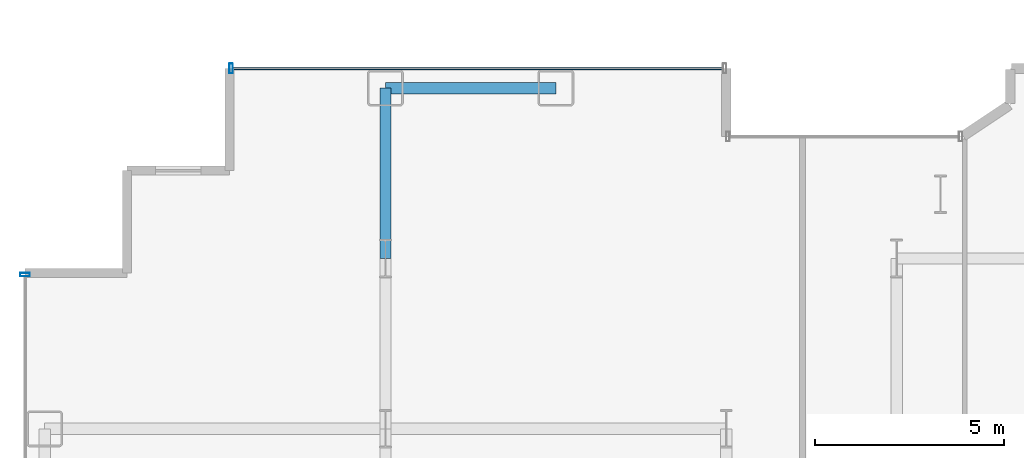
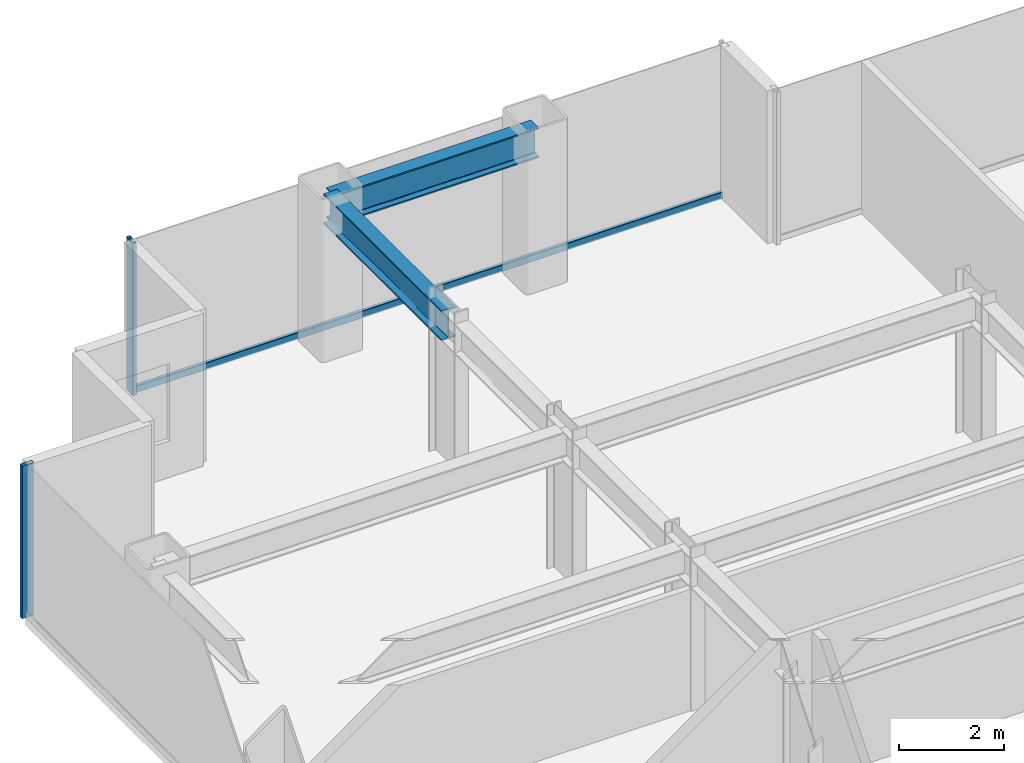
# One storey, part 9 of 25: 3 members, 2 beams, 2 elements without a shape of their own.
"""IFC4 building model written with IfcOpenShell, lengths in metres."""

from ifc_helpers import new_model, si_unit, direction, frame, origin, origin_2d, place, context, subcontext, project, spatial, hollow_rectangle, i_section, extrude, source, transform, mapped, material, layer, layer_set, material_profile, profile_set, type_object, element, aggregate, save


model = new_model("IFC4")

# Units and contexts
model_context = context("Model", 3, precision=1e-05, world=origin(), true_north=direction((0.0, 1.0)))
body_context = subcontext(model_context, "Body", "Model", "MODEL_VIEW")
ifc_project = project(units=[si_unit("LENGTHUNIT", "METRE"), si_unit("AREAUNIT", "SQUARE_METRE"), si_unit("VOLUMEUNIT", "CUBIC_METRE"), si_unit("PLANEANGLEUNIT", "RADIAN"), si_unit("MASSUNIT", "GRAM", prefix="KILO")], contexts=[model_context])

# Site, building, storey
site_placement = place(None, origin())
site = spatial("IfcSite", under=ifc_project, at=site_placement, CompositionType="ELEMENT")
building_placement = place(site_placement, origin())
building = spatial("IfcBuilding", under=site, at=building_placement, Name="Nefas-Gora Pilgrimage Tower", CompositionType="ELEMENT")
storey_placement = place(building_placement, frame((0.0, 0.0, 74.800048828125)))
storey = spatial("IfcBuildingStorey", under=building, at=storey_placement, Name="L17", CompositionType="ELEMENT", Elevation=74.800048828125)

# Beams
ifc_material_1 = material(Name="Steel S355", Category="steel")
ifc_material_profile_1 = material_profile(ifc_material_1, i_section(OverallWidth=0.300048828125, OverallDepth=0.699951171875, WebThickness=0.01708984375, FlangeThickness=0.031982421875, FilletRadius=0.027099609375, at=origin_2d()), Name="HEB 700")
ifc_profile_set_1 = profile_set([ifc_material_profile_1], Name="Steel S355")
beam_type_1 = type_object("IfcBeamType", Name="BM-SPN-HEB600", PredefinedType="SPANDREL", material=ifc_profile_set_1)
shared_shape_1 = source(origin(), body_context, "Body", "SweptSolid", [
    extrude(i_section(OverallWidth=0.300048828125, OverallDepth=0.699951171875, WebThickness=0.01708984375, FlangeThickness=0.031982421875, FilletRadius=0.027099609375, at=origin_2d()), origin(), (0.0, 0.0, 1.0), 4.5),
])
beam_1_placement = place(storey_placement, frame((-24.75, 22.5, 3.199951171875), z_axis=(1.0, 0.0, 0.0), x_axis=(0.0, 1.0, 0.0)))
element("IfcBeam", 1, at=beam_1_placement, inside=storey, type_object=beam_type_1, Name="L17 SP-01 beam", PredefinedType="SPANDREL", context=body_context, shape_type="MappedRepresentation", body=[
    mapped(shared_shape_1, transform((0.0, 0.0, 0.0), x_axis=(1.0, 0.0, 0.0), y_axis=(0.0, 1.0, 0.0), z_axis=(0.0, 0.0, 1.0), scale=1.0)),
])
ifc_material_profile_2 = material_profile(ifc_material_1, i_section(OverallWidth=0.300048828125, OverallDepth=0.699951171875, WebThickness=0.01708984375, FlangeThickness=0.031982421875, FilletRadius=0.027099609375, at=origin_2d()), Name="HEB 700")
ifc_profile_set_2 = profile_set([ifc_material_profile_2], Name="Steel S355")
beam_type_2 = type_object("IfcBeamType", Name="BM-GIR-HEB700", PredefinedType="BEAM", material=ifc_profile_set_2)
shared_shape_2 = source(origin(), body_context, "Body", "SweptSolid", [
    extrude(i_section(OverallWidth=0.300048828125, OverallDepth=0.699951171875, WebThickness=0.01708984375, FlangeThickness=0.031982421875, FilletRadius=0.027099609375, at=origin_2d()), origin(), (0.0, 0.0, 1.0), 4.5),
])
beam_2_placement = place(storey_placement, frame((-24.75, 18.0, 3.199951171875), z_axis=(0.0, 1.0, 0.0), x_axis=(-1.0, 0.0, 0.0)))
element("IfcBeam", 2, at=beam_2_placement, inside=storey, type_object=beam_type_2, Name="L17 G-02 beam", PredefinedType="BEAM", context=body_context, shape_type="MappedRepresentation", body=[
    mapped(shared_shape_2, transform((0.0, 0.0, 0.0), x_axis=(1.0, 0.0, 0.0), y_axis=(0.0, 1.0, 0.0), z_axis=(0.0, 0.0, 1.0), scale=1.0)),
])

# Curtain wall, member
ifc_material_2 = material(Name="Dark ceramic-fritted solar-control aluminium-glass curtain wall", Category="aluminium")
ifc_layer = layer(ifc_material_2, 0.219970703125)
ifc_layer_set = layer_set([ifc_layer], Name="Dark ceramic-fritted solar-control aluminium-glass curtain wall")
curtain_wall_type = type_object("IfcCurtainWallType", Name="CW-SYS-2", PredefinedType="NOTDEFINED", material=ifc_layer_set)
curtain_wall_1_placement = place(storey_placement, origin())
curtain_wall_1 = element("IfcCurtainWall", 3, at=curtain_wall_1_placement, inside=storey, type_object=curtain_wall_type, Name="L17 Unitised Curtain Wall CW2", PredefinedType="NOTDEFINED")
ifc_material_3 = material(Name="Anodised architectural aluminium", Category="aluminium")
ifc_material_profile_3 = material_profile(ifc_material_3, hollow_rectangle(XDim=0.090087890625, YDim=0.260009765625, WallThickness=0.006103515625, InnerFilletRadius=0.006103515625, OuterFilletRadius=0.011962890625, at=origin_2d()), Name="ALU MULLION 90x260")
ifc_profile_set_3 = profile_set([ifc_material_profile_3], Name="Anodised architectural aluminium")
member_type_1 = type_object("IfcMemberType", Name="CWM-MUL-2", PredefinedType="MULLION", material=ifc_profile_set_3)
shared_shape_3 = source(origin(), body_context, "Body", "SweptSolid", [
    extrude(hollow_rectangle(XDim=0.090087890625, YDim=0.260009765625, WallThickness=0.006103515625, InnerFilletRadius=0.006103515625, OuterFilletRadius=0.011962890625, at=origin_2d()), origin(), (0.0, 0.0, 1.0), 3.550048828125),
])
member_1_placement = place(storey_placement, frame((-28.824951171875, 23.02001953125, 0.0), z_axis=(0.0, 0.0, 1.0), x_axis=(-1.0, 0.0, 0.0)))
member_1 = element("IfcMember", 4, at=member_1_placement, type_object=member_type_1, Name="CW2 Mullion 2", PredefinedType="MULLION", context=body_context, shape_type="MappedRepresentation", body=[
    mapped(shared_shape_3, transform((0.0, 0.0, 0.0), x_axis=(1.0, 0.0, 0.0), y_axis=(0.0, 1.0, 0.0), z_axis=(0.0, 0.0, 1.0), scale=1.0)),
])

curtain_wall_2_placement = place(storey_placement, origin())
curtain_wall_2 = element("IfcCurtainWall", 5, at=curtain_wall_2_placement, inside=storey, type_object=curtain_wall_type, Name="L17 Unitised Curtain Wall CW2", PredefinedType="NOTDEFINED")
member_2_placement = place(storey_placement, frame((-34.27001953125, 17.574951171875, 0.0), z_axis=(0.0, 0.0, 1.0), x_axis=(0.0, -1.0, 0.0)))
member_2 = element("IfcMember", 6, at=member_2_placement, type_object=member_type_1, Name="CW2 Mullion 1", PredefinedType="MULLION", context=body_context, shape_type="MappedRepresentation", body=[
    mapped(shared_shape_3, transform((0.0, 0.0, 0.0), x_axis=(1.0, 0.0, 0.0), y_axis=(0.0, 1.0, 0.0), z_axis=(0.0, 0.0, 1.0), scale=1.0)),
])
aggregate(curtain_wall_2, [member_2])

# Member
ifc_material_profile_4 = material_profile(ifc_material_3, hollow_rectangle(XDim=0.080078125, YDim=0.159912109375, WallThickness=0.00439453125, InnerFilletRadius=0.00439453125, OuterFilletRadius=0.009033203125, at=origin_2d()), Name="ALU TRANSOM 80x160")
ifc_profile_set_4 = profile_set([ifc_material_profile_4], Name="Anodised architectural aluminium")
member_type_2 = type_object("IfcMemberType", Name="CWM-TRN-2", PredefinedType="USERDEFINED", material=ifc_profile_set_4)
shared_shape_4 = source(origin(), body_context, "Body", "SweptSolid", [
    extrude(hollow_rectangle(XDim=0.080078125, YDim=0.159912109375, WallThickness=0.00439453125, InnerFilletRadius=0.00439453125, OuterFilletRadius=0.009033203125, at=origin_2d()), origin(), (0.0, 0.0, 1.0), 12.93994140625),
])
member_3_placement = place(storey_placement, frame((-15.840087890625, 23.02001953125, 0.050048828125), z_axis=(-1.0, 0.0, 0.0), x_axis=(0.0, -1.0, 0.0)))
member_3 = element("IfcMember", 7, at=member_3_placement, type_object=member_type_2, Name="CW2 Spandrel Transom", ObjectType="TRANSOM", PredefinedType="USERDEFINED", context=body_context, shape_type="MappedRepresentation", body=[
    mapped(shared_shape_4, transform((0.0, 0.0, 0.0), x_axis=(1.0, 0.0, 0.0), y_axis=(0.0, 1.0, 0.0), z_axis=(0.0, 0.0, 1.0), scale=1.0)),
])

aggregate(curtain_wall_1, [member_1, member_3])

save(model, "model.ifc")
